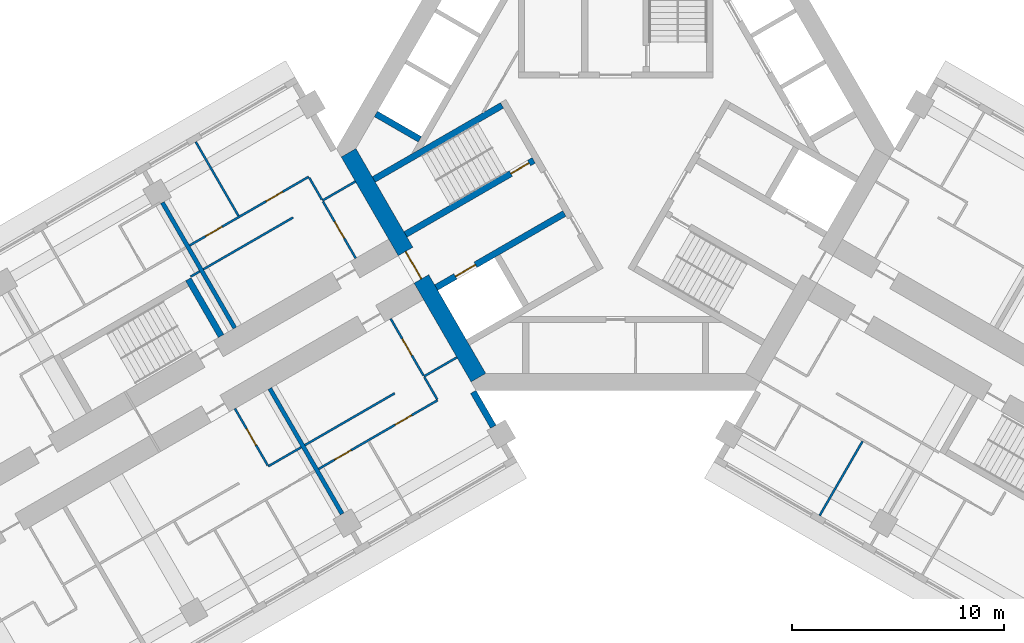
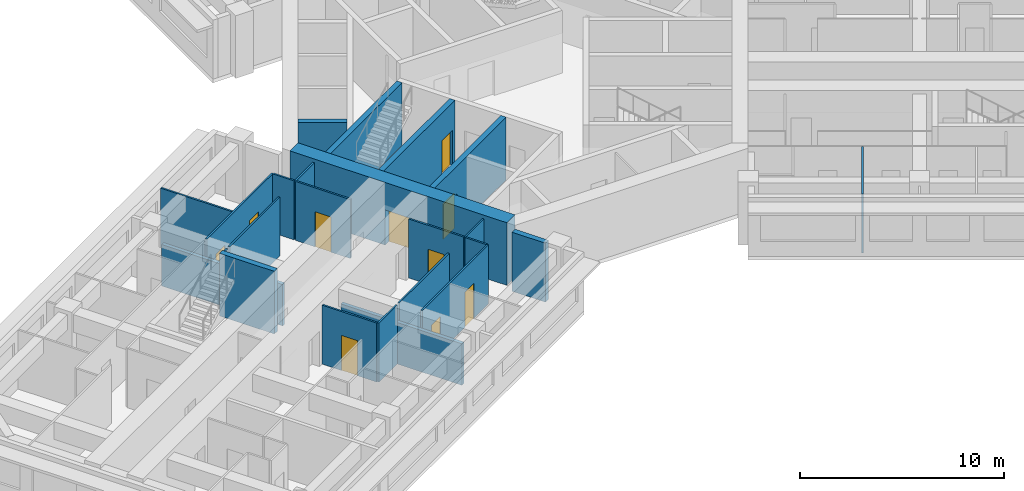
# One storey, part 4 of 14: 24 walls, 10 doors, 10 openings.
"""IFC4 building model written with IfcOpenShell, lengths in metres."""

import ifcopenshell
import ifcopenshell.guid

model = None  # the IFC model being written
_history = None  # IfcOwnerHistory: only IFC2X3 demands one
_inside = {}  # id of a spatial element -> (the spatial element, [elements in it])
_under = {}  # id of a project, library or spatial element -> (it, [spatial elements below it])
_declared = {}  # id of a project -> (the project, [libraries it declares])
_typed = {}  # id of a type object -> (the type object, [elements of that type])
_made_of = {}  # id of a material, layer set ... -> (it, [elements and type objects made of it])


def new_model(schema):
    """Start an empty IFC model of exactly this schema.

    Asked for "IFC4X3", IfcOpenShell would pick the latest addendum, in which some entities
    have other attributes; the version numbers below select the first issue.
    IFC2X3 requires an IfcOwnerHistory on every rooted entity: one is made here for all.
    """
    global model, _history
    if schema == "IFC4X3":
        model = ifcopenshell.file(schema_version=(4, 3, 0, 0))
    else:
        model = ifcopenshell.file(schema=schema)
    _inside.clear()
    _under.clear()
    _declared.clear()
    _typed.clear()
    _made_of.clear()
    _history = None
    if model.schema == "IFC2X3":
        org = make("IfcOrganization", Name="unknown")
        user = make(
            "IfcPersonAndOrganization",
            ThePerson=make("IfcPerson", FamilyName="unknown"),
            TheOrganization=org,
        )
        app = make(
            "IfcApplication",
            ApplicationDeveloper=org,
            Version="unknown",
            ApplicationFullName="unknown",
            ApplicationIdentifier="unknown",
        )
        _history = make(
            "IfcOwnerHistory",
            OwningUser=user,
            OwningApplication=app,
            ChangeAction="ADDED",
            CreationDate=0,
        )
    return model


def make(cls, **values):
    """One entity of the class cls with the attributes given. An attribute that is None is left unset."""
    return model.create_entity(
        cls, **{name: value for name, value in values.items() if value is not None}
    )


def rooted(cls, **values):
    """An entity with a GlobalId (a new one), such as an element, a storey or a relation."""
    return make(cls, GlobalId=ifcopenshell.guid.new(), OwnerHistory=_history, **values)


def si_unit(unit_type, name, prefix=None):
    """IfcSIUnit, for example si_unit("LENGTHUNIT", "METRE", prefix="MILLI")."""
    return make("IfcSIUnit", UnitType=unit_type, Prefix=prefix, Name=name)


def assignment(units):
    """IfcUnitAssignment: the units of a project."""
    return None if units is None else make("IfcUnitAssignment", Units=units)


def point(xyz):
    """IfcCartesianPoint."""
    return None if xyz is None else make("IfcCartesianPoint", Coordinates=xyz)


def direction(xyz):
    """IfcDirection."""
    return None if xyz is None else make("IfcDirection", DirectionRatios=xyz)


def frame(location, z_axis=None, x_axis=None):
    """IfcAxis2Placement3D, a coordinate frame: its origin and axes. An axis left out is left unset."""
    return make(
        "IfcAxis2Placement3D",
        Location=point(location),
        Axis=direction(z_axis),
        RefDirection=direction(x_axis),
    )


def frame_2d(location, x_axis=None):
    """IfcAxis2Placement2D, a coordinate frame in the plane: its origin and x axis."""
    return make(
        "IfcAxis2Placement2D", Location=point(location), RefDirection=direction(x_axis)
    )


def origin():
    """The frame at (0, 0, 0) with its axes left unset."""
    return frame((0.0, 0.0, 0.0))


def place(relative_to, where):
    """IfcLocalPlacement: puts the frame where relative to a parent placement (None: the world)."""
    return make(
        "IfcLocalPlacement", PlacementRelTo=relative_to, RelativePlacement=where
    )


def context(
    kind, dimensions, precision=None, world=None, true_north=None, identifier=None
):
    """IfcGeometricRepresentationContext, for example the 3D "Model" context."""
    return make(
        "IfcGeometricRepresentationContext",
        ContextIdentifier=identifier,
        ContextType=kind,
        CoordinateSpaceDimension=dimensions,
        Precision=precision,
        WorldCoordinateSystem=world,
        TrueNorth=true_north,
    )


def subcontext(parent, identifier, kind, view, scale=None):
    """IfcGeometricRepresentationSubContext, for example "Body" below "Model"."""
    return make(
        "IfcGeometricRepresentationSubContext",
        ContextIdentifier=identifier,
        ContextType=kind,
        ParentContext=parent,
        TargetScale=scale,
        TargetView=view,
    )


def project(units=None, contexts=None):
    """IfcProject with its units and contexts."""
    return rooted(
        "IfcProject",
        Name="project",
        RepresentationContexts=contexts,
        UnitsInContext=assignment(units),
    )


def spatial(cls, under=None, at=None, **own):
    """A site, building, storey or space (cls), placed at a placement, below another one or the project."""
    s = rooted(cls, ObjectPlacement=at, **own)
    if under is not None:
        _under.setdefault(under.id(), (under, []))[1].append(s)
    return s


def profile(cls, at=None, kind="AREA", **sizes):
    """A parametric profile (cls). Its sizes go by their IFC names, for example OverallWidth=200.0."""
    return make(cls, ProfileType=kind, Position=at, **sizes)


def rectangle(**sizes):
    """IfcRectangleProfileDef."""
    return profile("IfcRectangleProfileDef", **sizes)


def extrude(swept, where, along, depth):
    """IfcExtrudedAreaSolid: the profile swept, set in the frame where, extruded along a direction by depth."""
    return make(
        "IfcExtrudedAreaSolid",
        SweptArea=swept,
        Position=where,
        ExtrudedDirection=direction(along),
        Depth=depth,
    )


def shape(context_of_items, identifier, shape_type, items):
    """IfcShapeRepresentation: the items that make up one representation, for example the "Body"."""
    return make(
        "IfcShapeRepresentation",
        ContextOfItems=context_of_items,
        RepresentationIdentifier=identifier,
        RepresentationType=shape_type,
        Items=items,
    )


def material(Name=None, Category=None):
    """IfcMaterial."""
    return make("IfcMaterial", Name=Name, Category=Category)


def layer(
    of_material, thickness, ventilated=None, Name=None, Category=None, Priority=None
):
    """IfcMaterialLayer: one layer of a wall or slab, of a material (None: an air gap)."""
    return make(
        "IfcMaterialLayer",
        Material=of_material,
        LayerThickness=thickness,
        IsVentilated=ventilated,
        Name=Name,
        Category=Category,
        Priority=Priority,
    )


def layer_set(layers, Name=None):
    """IfcMaterialLayerSet."""
    return make("IfcMaterialLayerSet", MaterialLayers=layers, LayerSetName=Name)


def made_of(thing, what):
    """Note that an element or type object is made of a material, layer set ...; save() writes the relation."""
    if what is not None:
        _made_of.setdefault(what.id(), (what, []))[1].append(thing)
    return thing


def type_object(cls, material=None, **own):
    """A type object (cls), such as IfcWallType, which elements share."""
    return made_of(rooted(cls, **own), material)


def element(
    cls,
    number,
    at=None,
    inside=None,
    cuts=None,
    type_object=None,
    material=None,
    context=None,
    identifier="Body",
    shape_type=None,
    held_by="IfcProductDefinitionShape",
    body=None,
    shapes=None,
    **own,
):
    """One element of the class cls, such as IfcWall. Its Tag is "e" and its number.

    at: its placement. inside: the storey or other place that contains it. cuts: it is an
    opening in that element (IfcRelVoidsElement). A single representation is given by context,
    identifier, shape_type and body (its items); several are given by shapes. held_by: the class
    of the entity that holds the representations. save() writes the other relations.
    """
    e = rooted(cls, Tag="e%d" % number, ObjectPlacement=at, **own)
    if body is not None:
        shapes = [shape(context, identifier, shape_type, body)]
    if shapes is not None:
        e.Representation = make(held_by, Representations=shapes)
    if inside is not None:
        _inside.setdefault(inside.id(), (inside, []))[1].append(e)
    if cuts is not None:
        rooted(
            "IfcRelVoidsElement", RelatingBuildingElement=cuts, RelatedOpeningElement=e
        )
    if type_object is not None:
        _typed.setdefault(type_object.id(), (type_object, []))[1].append(e)
    return made_of(e, material)


def fill(opening, filler):
    """IfcRelFillsElement: the door or window that sits in an opening."""
    return rooted(
        "IfcRelFillsElement",
        RelatingOpeningElement=opening,
        RelatedBuildingElement=filler,
    )


def aggregate(whole, parts):
    """IfcRelAggregates: a whole, such as a stair, and the parts it consists of."""
    return rooted("IfcRelAggregates", RelatingObject=whole, RelatedObjects=parts)


def save(model, path):
    """Write the relations noted so far, then the file.

    IfcRelAggregates (storeys below a building ...), IfcRelContainedInSpatialStructure (elements
    in a storey), IfcRelDefinesByType, IfcRelAssociatesMaterial and IfcRelDeclares: one each for
    every whole, place, type object, material and project.
    """
    for whole, parts in _under.values():
        aggregate(whole, parts)
    for where, things in _inside.values():
        rooted(
            "IfcRelContainedInSpatialStructure",
            RelatedElements=things,
            RelatingStructure=where,
        )
    for kind, things in _typed.values():
        rooted("IfcRelDefinesByType", RelatedObjects=things, RelatingType=kind)
    for what, things in _made_of.values():
        rooted("IfcRelAssociatesMaterial", RelatedObjects=things, RelatingMaterial=what)
    for by, libraries in _declared.values():
        rooted("IfcRelDeclares", RelatingContext=by, RelatedDefinitions=libraries)
    model.write(path)


model = new_model("IFC4")

# Units and contexts
model_context = context("Model", 3, precision=1e-05, world=origin(), true_north=direction((0.0, 1.0)))
body_context = subcontext(model_context, "Body", "Model", "MODEL_VIEW")
ifc_project = project(units=[si_unit("LENGTHUNIT", "METRE"), si_unit("AREAUNIT", "SQUARE_METRE"), si_unit("VOLUMEUNIT", "CUBIC_METRE"), si_unit("PLANEANGLEUNIT", "RADIAN"), si_unit("MASSUNIT", "GRAM", prefix="KILO")], contexts=[model_context])

# Site, building, storey
site_placement = place(None, origin())
site = spatial("IfcSite", under=ifc_project, at=site_placement, CompositionType="ELEMENT")
building_placement = place(site_placement, origin())
building = spatial("IfcBuilding", under=site, at=building_placement, Name="Impinga Residences", CompositionType="ELEMENT")
storey_placement = place(building_placement, frame((0.0, 0.0, 143.5)))
storey = spatial("IfcBuildingStorey", under=building, at=storey_placement, Name="L35", CompositionType="ELEMENT", Elevation=143.5)

# Walls
ifc_material_1 = material(Name="Terracotta rainscreen on blockwork", Category="masonry")
ifc_layer_1 = layer(ifc_material_1, 0.300048828125)
ifc_layer_set_1 = layer_set([ifc_layer_1], Name="EW1 external wall, terracotta rainscreen on blockwork 300")
wall_type_1 = type_object("IfcWallType", Name="EW1 external wall, terracotta rainscreen on blockwork 300", PredefinedType="SOLIDWALL", material=ifc_layer_set_1)
wall_1_placement = place(storey_placement, frame((-6.72998046875, -11.506591796875, 0.0), z_axis=(0.0, 0.0, 1.0), x_axis=(0.500063520245, -0.865988727248, 0.0)))
element("IfcWall", 1, at=wall_1_placement, inside=storey, type_object=wall_type_1, Name="External wall EW1 L35", PredefinedType="SOLIDWALL", context=body_context, shape_type="SweptSolid", body=[
    extrude(rectangle(XDim=1.900146484375, YDim=0.300048828125, at=frame_2d((0.9501953125, 0.0))), origin(), (0.0, 0.0, 1.0), 3.530029296875),
])
ifc_material_2 = material(Name="Gypsum board on steel studs", Category="steel")
ifc_layer_2 = layer(ifc_material_2, 0.10009765625)
ifc_layer_set_2 = layer_set([ifc_layer_2], Name="Gypsum board on steel studs")
wall_type_2 = type_object("IfcWallType", Name="IP1 partition 100", PredefinedType="PARTITIONING", material=ifc_layer_set_2)
wall_2_placement = place(storey_placement, frame((-7.5, -9.872802734375, 0.0), z_axis=(0.0, 0.0, 1.0), x_axis=(-0.866047807691, -0.499961193289, 0.0)))
element("IfcWall", 2, at=wall_2_placement, inside=storey, type_object=wall_type_2, Name="Partition L35-WA1:DIV0", PredefinedType="PARTITIONING", context=body_context, shape_type="SweptSolid", body=[
    extrude(rectangle(XDim=1.800048828125, YDim=0.10009765625, at=frame_2d((0.89990234375, 0.0))), origin(), (0.0, 0.0, 1.0), 3.530029296875),
])
wall_3_placement = place(storey_placement, frame((-10.444580078125, -11.57275390625, 0.0), z_axis=(0.0, 0.0, 1.0), x_axis=(-0.866023786258, -0.500002801628, 0.0)))
element("IfcWall", 3, at=wall_3_placement, inside=storey, type_object=wall_type_2, Name="Partition L35-WA1:DIV1", PredefinedType="PARTITIONING", context=body_context, shape_type="SweptSolid", body=[
    extrude(rectangle(XDim=4.89990234375, YDim=0.10009765625, at=frame_2d((2.449951171875, 0.0))), origin(), (0.0, 0.0, 1.0), 3.530029296875),
])

# Wall, openings, doors
wall_4_placement = place(storey_placement, frame((-8.408935546875, -11.8984375, 0.0), z_axis=(0.0, 0.0, 1.0), x_axis=(-0.866024837091, -0.50000098154, 0.0)))
wall_4 = element("IfcWall", 4, at=wall_4_placement, inside=storey, type_object=wall_type_2, Name="Partition L35-WA1:STRIP", PredefinedType="PARTITIONING", context=body_context, shape_type="SweptSolid", body=[
    extrude(rectangle(XDim=6.5, YDim=0.10009765625, at=frame_2d((3.25, 0.0))), origin(), (0.0, 0.0, 1.0), 3.530029296875),
])
opening_1_placement = place(wall_4_placement, frame((1.425048828125, 0.0, 0.0)))
opening_1 = element("IfcOpeningElement", 5, at=opening_1_placement, cuts=wall_4, Name="Opening D2", PredefinedType="OPENING", context=body_context, shape_type="SweptSolid", body=[
    extrude(rectangle(XDim=0.89990234375, YDim=2.10009765625, at=frame_2d((0.449951171875, 1.050048828125))), frame((0.0, 0.06005859375, 0.0), z_axis=(0.0, -1.0, 0.0), x_axis=(1.0, 0.0, 0.0)), (0.0, 0.0, 1.0), 0.1201171875),
])
opening_2_placement = place(wall_4_placement, frame((4.72509765625, 0.0, 0.0)))
opening_2 = element("IfcOpeningElement", 6, at=opening_2_placement, cuts=wall_4, Name="Opening D2", PredefinedType="OPENING", context=body_context, shape_type="SweptSolid", body=[
    extrude(rectangle(XDim=0.89990234375, YDim=2.10009765625, at=frame_2d((0.449951171875, 1.050048828125))), frame((0.0, 0.06005859375, 0.0), z_axis=(0.0, -1.0, 0.0), x_axis=(1.0, 0.0, 0.0)), (0.0, 0.0, 1.0), 0.1201171875),
])
ifc_material_3 = material(Name="Timber door set", Category="wood")
door_type_1 = type_object("IfcDoorType", Name="D2 internal door 900x2100", OperationType="SINGLE_SWING_LEFT", PredefinedType="DOOR", material=ifc_material_3)
door_1_placement = place(opening_1_placement, origin())
door_1 = element("IfcDoor", 7, at=door_1_placement, inside=storey, type_object=door_type_1, Name="Apartment L35-WA1 room door", OperationType="SINGLE_SWING_LEFT", OverallHeight=2.10009765625, OverallWidth=0.89990234375, PredefinedType="DOOR", context=body_context, shape_type="SweptSolid", body=[
    extrude(rectangle(XDim=0.89990234375, YDim=2.10009765625, at=frame_2d((0.449951171875, 1.050048828125))), frame((0.0, 0.02490234375, 0.0), z_axis=(0.0, -1.0, 0.0), x_axis=(1.0, 0.0, 0.0)), (0.0, 0.0, 1.0), 0.050048828125),
])
fill(opening_1, door_1)
door_2_placement = place(opening_2_placement, origin())
door_2 = element("IfcDoor", 8, at=door_2_placement, inside=storey, type_object=door_type_1, Name="Apartment L35-WA1 room door", OperationType="SINGLE_SWING_RIGHT", OverallHeight=2.10009765625, OverallWidth=0.89990234375, PredefinedType="DOOR", context=body_context, shape_type="SweptSolid", body=[
    extrude(rectangle(XDim=0.89990234375, YDim=2.10009765625, at=frame_2d((0.449951171875, 1.050048828125))), frame((0.0, 0.02490234375, 0.0), z_axis=(0.0, -1.0, 0.0), x_axis=(1.0, 0.0, 0.0)), (0.0, 0.0, 1.0), 0.050048828125),
])
fill(opening_2, door_2)

# Wall
wall_5_placement = place(storey_placement, frame((-9.033935546875, -10.81591796875, 0.0), z_axis=(0.0, 0.0, 1.0), x_axis=(0.500033551112, -0.866006032174, 0.0)))
element("IfcWall", 9, at=wall_5_placement, inside=storey, type_object=wall_type_2, Name="Partition L35-WA1:SE0", PredefinedType="PARTITIONING", context=body_context, shape_type="SweptSolid", body=[
    extrude(rectangle(XDim=1.2001953125, YDim=0.10009765625, at=frame_2d((0.60009765625, 0.0))), origin(), (0.0, 0.0, 1.0), 3.530029296875),
])

# Wall, opening, door
wall_6_placement = place(storey_placement, frame((-10.6337890625, -8.044677734375, 0.0), z_axis=(0.0, 0.0, 1.0), x_axis=(0.49999285859, -0.86602952684, 0.0)))
wall_6 = element("IfcWall", 10, at=wall_6_placement, inside=storey, type_object=wall_type_2, Name="Partition L35-WA1:IB1", PredefinedType="PARTITIONING", context=body_context, shape_type="SweptSolid", body=[
    extrude(rectangle(XDim=3.10009765625, YDim=0.10009765625, at=frame_2d((1.550048828125, 0.0))), origin(), (0.0, 0.0, 1.0), 3.530029296875),
])
opening_3_placement = place(wall_6_placement, frame((1.10009765625, 0.0, 0.0)))
opening_3 = element("IfcOpeningElement", 11, at=opening_3_placement, cuts=wall_6, Name="Opening D2", PredefinedType="OPENING", context=body_context, shape_type="SweptSolid", body=[
    extrude(rectangle(XDim=0.89990234375, YDim=2.10009765625, at=frame_2d((0.449951171875, 1.050048828125))), frame((0.0, 0.06005859375, 0.0), z_axis=(0.0, -1.0, 0.0), x_axis=(1.0, 0.0, 0.0)), (0.0, 0.0, 1.0), 0.1201171875),
])
door_3_placement = place(opening_3_placement, origin())
door_3 = element("IfcDoor", 12, at=door_3_placement, inside=storey, type_object=door_type_1, Name="Apartment L35-WA1 bathroom door", OperationType="SINGLE_SWING_LEFT", OverallHeight=2.10009765625, OverallWidth=0.89990234375, PredefinedType="DOOR", context=body_context, shape_type="SweptSolid", body=[
    extrude(rectangle(XDim=0.89990234375, YDim=2.10009765625, at=frame_2d((0.449951171875, 1.050048828125))), frame((0.0, 0.02490234375, 0.0), z_axis=(0.0, -1.0, 0.0), x_axis=(1.0, 0.0, 0.0)), (0.0, 0.0, 1.0), 0.050048828125),
])
fill(opening_3, door_3)

# Wall
wall_7_placement = place(storey_placement, frame((-14.861328125, -14.122802734375, 0.0), z_axis=(0.0, 0.0, 1.0), x_axis=(-0.866047807691, -0.499961193289, 0.0)))
element("IfcWall", 13, at=wall_7_placement, inside=storey, type_object=wall_type_2, Name="Partition L35-WA2:DIV0", PredefinedType="PARTITIONING", context=body_context, shape_type="SweptSolid", body=[
    extrude(rectangle(XDim=1.800048828125, YDim=0.10009765625, at=frame_2d((0.89990234375, 0.0))), origin(), (0.0, 0.0, 1.0), 3.530029296875),
])

# Wall, opening, door
wall_8_placement = place(storey_placement, frame((-17.9951171875, -12.294677734375, 0.0), z_axis=(0.0, 0.0, 1.0), x_axis=(0.49999285859, -0.86602952684, 0.0)))
wall_8 = element("IfcWall", 14, at=wall_8_placement, inside=storey, type_object=wall_type_2, Name="Partition L35-WA2:IB1", PredefinedType="PARTITIONING", context=body_context, shape_type="SweptSolid", body=[
    extrude(rectangle(XDim=3.10009765625, YDim=0.10009765625, at=frame_2d((1.550048828125, 0.0))), origin(), (0.0, 0.0, 1.0), 3.530029296875),
])
opening_4_placement = place(wall_8_placement, frame((1.10009765625, 0.0, 0.0)))
opening_4 = element("IfcOpeningElement", 15, at=opening_4_placement, cuts=wall_8, Name="Opening D2", PredefinedType="OPENING", context=body_context, shape_type="SweptSolid", body=[
    extrude(rectangle(XDim=0.89990234375, YDim=2.10009765625, at=frame_2d((0.449951171875, 1.050048828125))), frame((0.0, 0.06005859375, 0.0), z_axis=(0.0, -1.0, 0.0), x_axis=(1.0, 0.0, 0.0)), (0.0, 0.0, 1.0), 0.1201171875),
])
door_4_placement = place(opening_4_placement, origin())
door_4 = element("IfcDoor", 16, at=door_4_placement, inside=storey, type_object=door_type_1, Name="Apartment L35-WA2 bathroom door", OperationType="SINGLE_SWING_LEFT", OverallHeight=2.10009765625, OverallWidth=0.89990234375, PredefinedType="DOOR", context=body_context, shape_type="SweptSolid", body=[
    extrude(rectangle(XDim=0.89990234375, YDim=2.10009765625, at=frame_2d((0.449951171875, 1.050048828125))), frame((0.0, 0.02490234375, 0.0), z_axis=(0.0, -1.0, 0.0), x_axis=(1.0, 0.0, 0.0)), (0.0, 0.0, 1.0), 0.050048828125),
])
fill(opening_4, door_4)

# Walls
wall_9_placement = place(storey_placement, frame((-12.300048828125, -1.558837890625, 0.0), z_axis=(0.0, 0.0, 1.0), x_axis=(-0.866047807691, -0.499961193289, 0.0)))
element("IfcWall", 17, at=wall_9_placement, inside=storey, type_object=wall_type_2, Name="Partition L35-WF1:DIV0", PredefinedType="PARTITIONING", context=body_context, shape_type="SweptSolid", body=[
    extrude(rectangle(XDim=1.800048828125, YDim=0.10009765625, at=frame_2d((0.89990234375, 0.0))), origin(), (0.0, 0.0, 1.0), 3.530029296875),
])
wall_10_placement = place(storey_placement, frame((-15.244384765625, -3.2587890625, 0.0), z_axis=(0.0, 0.0, 1.0), x_axis=(-0.866036242063, -0.49998122708, 0.0)))
element("IfcWall", 18, at=wall_10_placement, inside=storey, type_object=wall_type_2, Name="Partition L35-WF1:DIV1", PredefinedType="PARTITIONING", context=body_context, shape_type="SweptSolid", body=[
    extrude(rectangle(XDim=4.900146484375, YDim=0.10009765625, at=frame_2d((2.4501953125, 0.0))), origin(), (0.0, 0.0, 1.0), 3.530029296875),
])

# Wall, openings, doors
wall_11_placement = place(storey_placement, frame((-14.5087890625, -1.3330078125, 0.0), z_axis=(0.0, 0.0, 1.0), x_axis=(-0.866024837091, -0.50000098154, 0.0)))
wall_11 = element("IfcWall", 19, at=wall_11_placement, inside=storey, type_object=wall_type_2, Name="Partition L35-WF1:STRIP", PredefinedType="PARTITIONING", context=body_context, shape_type="SweptSolid", body=[
    extrude(rectangle(XDim=6.5, YDim=0.10009765625, at=frame_2d((3.25, 0.0))), origin(), (0.0, 0.0, 1.0), 3.530029296875),
])
opening_5_placement = place(wall_11_placement, frame((1.425048828125, 0.0, 0.0)))
opening_5 = element("IfcOpeningElement", 20, at=opening_5_placement, cuts=wall_11, Name="Opening D2", PredefinedType="OPENING", context=body_context, shape_type="SweptSolid", body=[
    extrude(rectangle(XDim=0.89990234375, YDim=2.10009765625, at=frame_2d((0.449951171875, 1.050048828125))), frame((0.0, 0.06005859375, 0.0), z_axis=(0.0, -1.0, 0.0), x_axis=(1.0, 0.0, 0.0)), (0.0, 0.0, 1.0), 0.1201171875),
])
opening_6_placement = place(wall_11_placement, frame((4.72509765625, 0.0, 0.0)))
opening_6 = element("IfcOpeningElement", 21, at=opening_6_placement, cuts=wall_11, Name="Opening D2", PredefinedType="OPENING", context=body_context, shape_type="SweptSolid", body=[
    extrude(rectangle(XDim=0.89990234375, YDim=2.10009765625, at=frame_2d((0.449951171875, 1.050048828125))), frame((0.0, 0.06005859375, 0.0), z_axis=(0.0, -1.0, 0.0), x_axis=(1.0, 0.0, 0.0)), (0.0, 0.0, 1.0), 0.1201171875),
])
door_5_placement = place(opening_5_placement, origin())
door_5 = element("IfcDoor", 22, at=door_5_placement, inside=storey, type_object=door_type_1, Name="Apartment L35-WF1 room door", OperationType="SINGLE_SWING_LEFT", OverallHeight=2.10009765625, OverallWidth=0.89990234375, PredefinedType="DOOR", context=body_context, shape_type="SweptSolid", body=[
    extrude(rectangle(XDim=0.89990234375, YDim=2.10009765625, at=frame_2d((0.449951171875, 1.050048828125))), frame((0.0, 0.02490234375, 0.0), z_axis=(0.0, -1.0, 0.0), x_axis=(1.0, 0.0, 0.0)), (0.0, 0.0, 1.0), 0.050048828125),
])
fill(opening_5, door_5)
door_6_placement = place(opening_6_placement, origin())
door_6 = element("IfcDoor", 23, at=door_6_placement, inside=storey, type_object=door_type_1, Name="Apartment L35-WF1 room door", OperationType="SINGLE_SWING_RIGHT", OverallHeight=2.10009765625, OverallWidth=0.89990234375, PredefinedType="DOOR", context=body_context, shape_type="SweptSolid", body=[
    extrude(rectangle(XDim=0.89990234375, YDim=2.10009765625, at=frame_2d((0.449951171875, 1.050048828125))), frame((0.0, 0.02490234375, 0.0), z_axis=(0.0, -1.0, 0.0), x_axis=(1.0, 0.0, 0.0)), (0.0, 0.0, 1.0), 0.050048828125),
])
fill(opening_6, door_6)

# Wall
wall_12_placement = place(storey_placement, frame((-13.8837890625, -2.41552734375, 0.0), z_axis=(0.0, 0.0, 1.0), x_axis=(-0.500033551112, 0.866006032174, 0.0)))
element("IfcWall", 24, at=wall_12_placement, inside=storey, type_object=wall_type_2, Name="Partition L35-WF1:SE0", PredefinedType="PARTITIONING", context=body_context, shape_type="SweptSolid", body=[
    extrude(rectangle(XDim=1.2001953125, YDim=0.10009765625, at=frame_2d((0.60009765625, 0.0))), origin(), (0.0, 0.0, 1.0), 3.530029296875),
])

# Wall, opening, door
wall_13_placement = place(storey_placement, frame((-12.283935546875, -5.186767578125, 0.0), z_axis=(0.0, 0.0, 1.0), x_axis=(-0.499967891604, 0.866043940782, 0.0)))
wall_13 = element("IfcWall", 25, at=wall_13_placement, inside=storey, type_object=wall_type_2, Name="Partition L35-WF1:IB1", PredefinedType="PARTITIONING", context=body_context, shape_type="SweptSolid", body=[
    extrude(rectangle(XDim=3.099853515625, YDim=0.10009765625, at=frame_2d((1.5498046875, 0.0))), origin(), (0.0, 0.0, 1.0), 3.530029296875),
])
opening_7_placement = place(wall_13_placement, frame((1.10009765625, 0.0, 0.0)))
opening_7 = element("IfcOpeningElement", 26, at=opening_7_placement, cuts=wall_13, Name="Opening D2", PredefinedType="OPENING", context=body_context, shape_type="SweptSolid", body=[
    extrude(rectangle(XDim=0.89990234375, YDim=2.10009765625, at=frame_2d((0.449951171875, 1.050048828125))), frame((0.0, 0.06005859375, 0.0), z_axis=(0.0, -1.0, 0.0), x_axis=(1.0, 0.0, 0.0)), (0.0, 0.0, 1.0), 0.1201171875),
])
door_7_placement = place(opening_7_placement, origin())
door_7 = element("IfcDoor", 27, at=door_7_placement, inside=storey, type_object=door_type_1, Name="Apartment L35-WF1 bathroom door", OperationType="SINGLE_SWING_LEFT", OverallHeight=2.10009765625, OverallWidth=0.89990234375, PredefinedType="DOOR", context=body_context, shape_type="SweptSolid", body=[
    extrude(rectangle(XDim=0.89990234375, YDim=2.10009765625, at=frame_2d((0.449951171875, 1.050048828125))), frame((0.0, 0.02490234375, 0.0), z_axis=(0.0, -1.0, 0.0), x_axis=(1.0, 0.0, 0.0)), (0.0, 0.0, 1.0), 0.050048828125),
])
fill(opening_7, door_7)

# Walls
wall_14_placement = place(storey_placement, frame((-17.82470703125, -3.189697265625, 0.0), z_axis=(0.0, 0.0, 1.0), x_axis=(-0.500035537042, 0.866004885491, 0.0)))
element("IfcWall", 28, at=wall_14_placement, inside=storey, type_object=wall_type_2, Name="Partition L35-WF1:OB1", PredefinedType="PARTITIONING", context=body_context, shape_type="SweptSolid", body=[
    extrude(rectangle(XDim=4.050048828125, YDim=0.10009765625, at=frame_2d((2.02490234375, 0.0))), origin(), (0.0, 0.0, 1.0), 3.530029296875),
])
wall_15_placement = place(storey_placement, frame((-19.6611328125, -5.808837890625, 0.0), z_axis=(0.0, 0.0, 1.0), x_axis=(-0.866071776036, -0.499919672301, 0.0)))
element("IfcWall", 29, at=wall_15_placement, inside=storey, type_object=wall_type_2, Name="Partition L35-WF2:DIV0", PredefinedType="PARTITIONING", context=body_context, shape_type="SweptSolid", body=[
    extrude(rectangle(XDim=0.5, YDim=0.10009765625, at=frame_2d((0.25, 0.0))), origin(), (0.0, 0.0, 1.0), 3.530029296875),
])
wall_16_placement = place(storey_placement, frame((11.6748046875, -13.841796875, 0.0), z_axis=(0.0, 0.0, 1.0), x_axis=(-0.500035537042, -0.866004885491, 0.0)))
element("IfcWall", 30, at=wall_16_placement, inside=storey, type_object=wall_type_2, Name="Partition L35-EF1:OB1", PredefinedType="PARTITIONING", context=body_context, shape_type="SweptSolid", body=[
    extrude(rectangle(XDim=4.050048828125, YDim=0.10009765625, at=frame_2d((2.02490234375, 0.0))), origin(), (0.0, 0.0, 1.0), 3.530029296875),
])
ifc_material_4 = material(Name="Concrete blockwork", Category="masonry")
ifc_layer_3 = layer(ifc_material_4, 0.199951171875)
ifc_layer_set_3 = layer_set([ifc_layer_3], Name="PW1 party wall between apartments 200")
wall_type_3 = type_object("IfcWallType", Name="PW1 party wall between apartments 200", PredefinedType="SOLIDWALL", material=ifc_layer_set_3)
for number, where, z_axis, x_axis, name in (
    (31, (-16.349609375, -11.3447265625, 0.0), (0.0, 0.0, 1.0), (0.499999086063, -0.866025931445, 0.0), "Party wall between apartments L35-WA1:PARTY"),
    (32, (-17.99951171875, -8.48681640625, 0.0), (0.0, 0.0, 1.0), (-0.499999086063, 0.866025931445, 0.0), "Party wall between apartments L35-WF1:PARTY"),
):
    element("IfcWall", number, at=place(storey_placement, frame(where, z_axis=z_axis, x_axis=x_axis)), inside=storey, type_object=wall_type_3, Name=name, PredefinedType="SOLIDWALL", context=body_context, shape_type="SweptSolid", body=[
        extrude(rectangle(XDim=6.85009765625, YDim=0.199951171875, at=frame_2d((3.425048828125, 0.0))), origin(), (0.0, 0.0, 1.0), 2.47998046875),
    ])
ifc_material_5 = material(Name="Concrete C60/75", Category="concrete")
ifc_layer_4 = layer(ifc_material_5, 0.300048828125)
ifc_layer_set_4 = layer_set([ifc_layer_4], Name="Concrete C60/75")
wall_type_4 = type_object("IfcWallType", Name="SE1 wing stair enclosure wall 300", PredefinedType="SOLIDWALL", material=ifc_layer_set_4)
wall_17_placement = place(storey_placement, frame((-18.649169921875, -8.86181640625, 0.0), z_axis=(0.0, 0.0, 1.0), x_axis=(-0.500026960575, 0.86600983753, 0.0)))
element("IfcWall", 33, at=wall_17_placement, inside=storey, type_object=wall_type_4, Name="Stair enclosure wall SE1 W END0 L35", PredefinedType="SOLIDWALL", context=body_context, shape_type="SweptSolid", body=[
    extrude(rectangle(XDim=3.099853515625, YDim=0.300048828125, at=frame_2d((1.5498046875, 0.0))), origin(), (0.0, 0.0, 1.0), 3.75),
])

# Wall, opening, door
ifc_layer_5 = layer(ifc_material_5, 0.800048828125)
ifc_layer_set_5 = layer_set([ifc_layer_5], Name="Concrete C60/75")
wall_type_5 = type_object("IfcWallType", Name="SW2 core wall 800", PredefinedType="SHEAR", material=ifc_layer_set_5)
wall_18_placement = place(storey_placement, frame((-6.484619140625, -10.83154296875, 0.0), z_axis=(0.0, 0.0, 1.0), x_axis=(-0.499986991068, 0.866032914365, 0.0)))
wall_18 = element("IfcWall", 34, at=wall_18_placement, inside=storey, type_object=wall_type_5, Name="Core wall SW2 W:FACE L35", PredefinedType="SHEAR", context=body_context, shape_type="SweptSolid", body=[
    extrude(rectangle(XDim=12.276123046875, YDim=0.800048828125, at=frame_2d((6.13818359375, 0.0))), origin(), (0.0, 0.0, 1.0), 3.75),
])
opening_8_placement = place(wall_18_placement, frame((5.38818359375, 0.0, 0.0)))
opening_8 = element("IfcOpeningElement", 35, at=opening_8_placement, cuts=wall_18, Name="Opening D4", PredefinedType="OPENING", context=body_context, shape_type="SweptSolid", body=[
    extrude(rectangle(XDim=1.5, YDim=2.10009765625, at=frame_2d((0.75, 1.050048828125))), frame((0.0, 0.409912109375, 0.0), z_axis=(0.0, -1.0, 0.0), x_axis=(1.0, 0.0, 0.0)), (0.0, 0.0, 1.0), 0.820068359375),
])
door_type_2 = type_object("IfcDoorType", Name="D4 lobby door pair 1500x2100", OperationType="DOUBLE_DOOR_DOUBLE_SWING", PredefinedType="DOOR", material=ifc_material_3)
door_8_placement = place(opening_8_placement, origin())
door_8 = element("IfcDoor", 36, at=door_8_placement, inside=storey, type_object=door_type_2, Name="Lobby door W", OperationType="DOUBLE_DOOR_DOUBLE_SWING", OverallHeight=2.10009765625, OverallWidth=1.5, PredefinedType="DOOR", context=body_context, shape_type="SweptSolid", body=[
    extrude(rectangle(XDim=1.5, YDim=2.10009765625, at=frame_2d((0.75, 1.050048828125))), frame((0.0, 0.02490234375, 0.0), z_axis=(0.0, -1.0, 0.0), x_axis=(1.0, 0.0, 0.0)), (0.0, 0.0, 1.0), 0.050048828125),
])
fill(opening_8, door_8)

ifc_material_6 = material(Name="Concrete C70/85", Category="concrete")
ifc_layer_6 = layer(ifc_material_6, 0.300048828125)
ifc_layer_set_6 = layer_set([ifc_layer_6], Name="Concrete C70/85")
wall_type_6 = type_object("IfcWallType", Name="SW5 core inner wall, stairs, shafts and lobbies 300", PredefinedType="SHEAR", material=ifc_layer_set_6)
wall_19_placement = place(storey_placement, frame((-3.86865234375, -0.559326171875, 0.0), z_axis=(0.0, 0.0, 1.0), x_axis=(-0.866026480128, -0.499998135713, 0.0)))
wall_19 = element("IfcWall", 37, at=wall_19_placement, inside=storey, type_object=wall_type_6, Name="Core wall SW5 W:ST-IN L35", PredefinedType="SHEAR", context=body_context, shape_type="SweptSolid", body=[
    extrude(rectangle(XDim=7.00146484375, YDim=0.300048828125, at=frame_2d((3.500732421875, 0.0))), origin(), (0.0, 0.0, 1.0), 3.75),
])
opening_9_placement = place(wall_19_placement, frame((0.25, 0.0, 0.0)))
opening_9 = element("IfcOpeningElement", 38, at=opening_9_placement, cuts=wall_19, Name="Opening D5", PredefinedType="OPENING", context=body_context, shape_type="SweptSolid", body=[
    extrude(rectangle(XDim=1.0, YDim=2.10009765625, at=frame_2d((0.5, 1.050048828125))), frame((0.0, 0.159912109375, 0.0), z_axis=(0.0, -1.0, 0.0), x_axis=(1.0, 0.0, 0.0)), (0.0, 0.0, 1.0), 0.320068359375),
])
door_type_3 = type_object("IfcDoorType", Name="D5 stair door 1000x2100", OperationType="SINGLE_SWING_LEFT", PredefinedType="DOOR", material=ifc_material_3)
door_9_placement = place(opening_9_placement, origin())
door_9 = element("IfcDoor", 39, at=door_9_placement, inside=storey, type_object=door_type_3, Name="Stair door W", OperationType="SINGLE_SWING_LEFT", OverallHeight=2.10009765625, OverallWidth=1.0, PredefinedType="DOOR", context=body_context, shape_type="SweptSolid", body=[
    extrude(rectangle(XDim=1.0, YDim=2.10009765625, at=frame_2d((0.5, 1.050048828125))), frame((0.0, 0.02490234375, 0.0), z_axis=(0.0, -1.0, 0.0), x_axis=(1.0, 0.0, 0.0)), (0.0, 0.0, 1.0), 0.050048828125),
])
fill(opening_9, door_9)

# Wall
wall_20_placement = place(storey_placement, frame((-5.36865234375, 2.038818359375, 0.0), z_axis=(0.0, 0.0, 1.0), x_axis=(-0.866026480128, -0.499998135713, 0.0)))
element("IfcWall", 40, at=wall_20_placement, inside=storey, type_object=wall_type_6, Name="Core wall SW5 W:ST-OUT L35", PredefinedType="SHEAR", context=body_context, shape_type="SweptSolid", body=[
    extrude(rectangle(XDim=7.00146484375, YDim=0.300048828125, at=frame_2d((3.500732421875, 0.0))), origin(), (0.0, 0.0, 1.0), 3.75),
])

# Wall, opening, door
wall_21_placement = place(storey_placement, frame((-2.418701171875, -3.07080078125, 0.0), z_axis=(0.0, 0.0, 1.0), x_axis=(-0.866026480128, -0.499998135713, 0.0)))
wall_21 = element("IfcWall", 41, at=wall_21_placement, inside=storey, type_object=wall_type_6, Name="Core wall SW5 W:FF-IN L35", PredefinedType="SHEAR", context=body_context, shape_type="SweptSolid", body=[
    extrude(rectangle(XDim=7.00146484375, YDim=0.300048828125, at=frame_2d((3.500732421875, 0.0))), origin(), (0.0, 0.0, 1.0), 3.75),
])
opening_10_placement = place(wall_21_placement, frame((4.85009765625, 0.0, 0.0)))
opening_10 = element("IfcOpeningElement", 42, at=opening_10_placement, cuts=wall_21, Name="Opening LD2", PredefinedType="OPENING", context=body_context, shape_type="SweptSolid", body=[
    extrude(rectangle(XDim=1.10009765625, YDim=2.10009765625, at=frame_2d((0.550048828125, 1.050048828125))), frame((0.0, 0.159912109375, 0.0), z_axis=(0.0, -1.0, 0.0), x_axis=(1.0, 0.0, 0.0)), (0.0, 0.0, 1.0), 0.320068359375),
])
ifc_material_7 = material(Name="Steel lift landing door", Category="steel")
door_type_4 = type_object("IfcDoorType", Name="LD2 firefighting lift landing door 1100x2100", OperationType="DOUBLE_DOOR_SLIDING", PredefinedType="DOOR", material=ifc_material_7)
door_10_placement = place(opening_10_placement, origin())
door_10 = element("IfcDoor", 43, at=door_10_placement, inside=storey, type_object=door_type_4, Name="Firefighting lift landing door F2", OperationType="DOUBLE_DOOR_SLIDING", OverallHeight=2.10009765625, OverallWidth=1.10009765625, PredefinedType="DOOR", context=body_context, shape_type="SweptSolid", body=[
    extrude(rectangle(XDim=1.10009765625, YDim=2.10009765625, at=frame_2d((0.550048828125, 1.050048828125))), frame((0.0, 0.02490234375, 0.0), z_axis=(0.0, -1.0, 0.0), x_axis=(1.0, 0.0, 0.0)), (0.0, 0.0, 1.0), 0.050048828125),
])
fill(opening_10, door_10)

# Wall
wall_22_placement = place(storey_placement, frame((-9.253662109375, 0.43505859375, 0.0), z_axis=(0.0, 0.0, 1.0), x_axis=(-0.866006032174, 0.500033551112, 0.0)))
element("IfcWall", 44, at=wall_22_placement, inside=storey, type_object=wall_type_6, Name="Core wall SW5 E:BANK-L L35", PredefinedType="SHEAR", context=body_context, shape_type="SweptSolid", body=[
    extrude(rectangle(XDim=2.400146484375, YDim=0.300048828125, at=frame_2d((1.2001953125, 0.0))), origin(), (0.0, 0.0, 1.0), 3.75),
])

save(model, "model.ifc")
